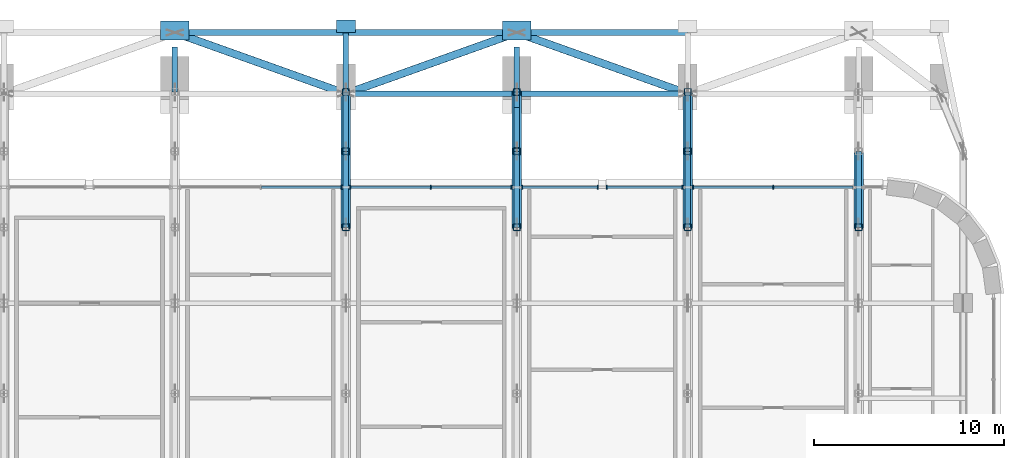
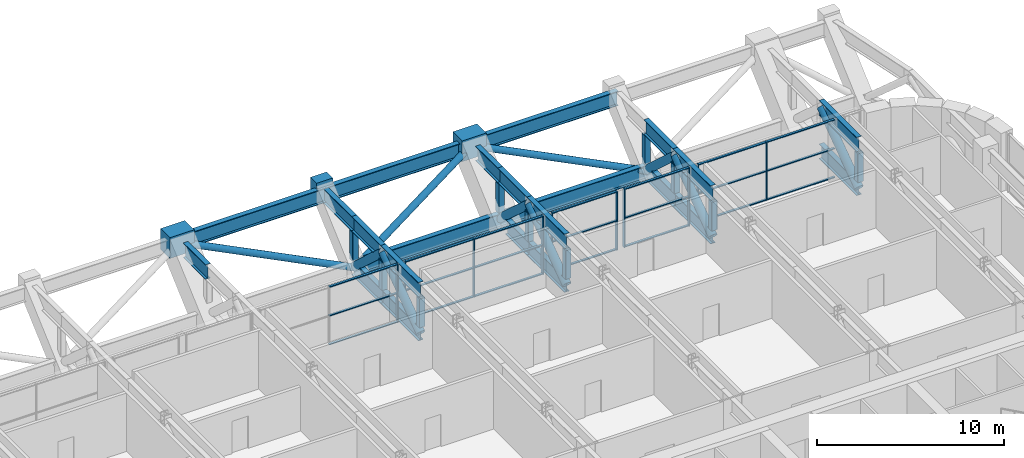
# One storey, part 7 of 23: 73 members, 3 beams, 5 elements without a shape of their own.
"""IFC4 building model written with IfcOpenShell, lengths in metres."""

from ifc_helpers import new_model, si_unit, direction, frame, origin, origin_2d, place, context, subcontext, project, spatial, rectangle, hollow_rectangle, hollow_circle, i_section, extrude, material, material_profile, profile_set, type_object, element, aggregate, save


model = new_model("IFC4")

# Units and contexts
model_context = context("Model", 3, precision=1e-05, world=origin(), true_north=direction((0.0, 1.0)))
body_context = subcontext(model_context, "Body", "Model", "MODEL_VIEW")
ifc_project = project(units=[si_unit("LENGTHUNIT", "METRE"), si_unit("AREAUNIT", "SQUARE_METRE"), si_unit("VOLUMEUNIT", "CUBIC_METRE"), si_unit("PLANEANGLEUNIT", "RADIAN"), si_unit("MASSUNIT", "GRAM", prefix="KILO")], contexts=[model_context])

# Site, building, storey
site_placement = place(None, origin())
site = spatial("IfcSite", under=ifc_project, at=site_placement, CompositionType="ELEMENT")
building_placement = place(site_placement, origin())
building = spatial("IfcBuilding", under=site, at=building_placement, Name="Zellij Exchange Tower", CompositionType="ELEMENT")
storey_placement = place(building_placement, frame((0.0, 0.0, 160.5)))
storey = spatial("IfcBuildingStorey", under=building, at=storey_placement, Name="L36", CompositionType="ELEMENT", Elevation=160.5)

# Curtain wall, members
ifc_material_1 = material(Name="Aluminium frame, clear insulating glass", Category="aluminium")
curtain_wall_type = type_object("IfcCurtainWallType", Name="ENV-CW2 Outrigger-storey glazing", PredefinedType="NOTDEFINED", material=ifc_material_1)
curtain_wall_1_placement = place(storey_placement, origin())
curtain_wall_1 = element("IfcCurtainWall", 1, at=curtain_wall_1_placement, inside=storey, type_object=curtain_wall_type, Name="cw.L36.14a.b", PredefinedType="NOTDEFINED")
ifc_material_2 = material(Name="Aluminium", Category="aluminium")
ifc_material_profile_1 = material_profile(ifc_material_2, rectangle(XDim=0.06005859375, YDim=0.199951171875, at=origin_2d()), Name="AL 60x200")
ifc_profile_set_1 = profile_set([ifc_material_profile_1], Name="Aluminium")
member_type_1 = type_object("IfcMemberType", Name="ENV-CW2M Mullion 60x200", PredefinedType="MULLION", material=ifc_profile_set_1)
member_1_placement = place(storey_placement, frame((22.5, 20.10009765625, 0.0), z_axis=(0.0, 0.0, 1.0), x_axis=(-1.0, 0.0, 0.0)))
member_1 = element("IfcMember", 2, at=member_1_placement, type_object=member_type_1, Name="CW2 mullion 2", PredefinedType="MULLION", context=body_context, shape_type="SweptSolid", body=[
    extrude(rectangle(XDim=0.06005859375, YDim=0.199951171875, at=origin_2d()), origin(), (0.0, 0.0, 1.0), 3.800048828125),
])
member_2_placement = place(storey_placement, frame((18.27978515625, 20.10009765625, 0.0), z_axis=(0.0, 0.0, 1.0), x_axis=(-1.0, 0.0, 0.0)))
member_2 = element("IfcMember", 3, at=member_2_placement, type_object=member_type_1, Name="CW2 mullion 3", PredefinedType="MULLION", context=body_context, shape_type="SweptSolid", body=[
    extrude(rectangle(XDim=0.06005859375, YDim=0.199951171875, at=origin_2d()), origin(), (0.0, 0.0, 1.0), 3.800048828125),
])

curtain_wall_2_placement = place(storey_placement, origin())
curtain_wall_2 = element("IfcCurtainWall", 4, at=curtain_wall_2_placement, inside=storey, type_object=curtain_wall_type, Name="cw.L36.14a.c", PredefinedType="NOTDEFINED")
member_3_placement = place(storey_placement, frame((17.72021484375, 20.10009765625, 0.0), z_axis=(0.0, 0.0, 1.0), x_axis=(-1.0, 0.0, 0.0)))
member_3 = element("IfcMember", 5, at=member_3_placement, type_object=member_type_1, Name="CW2 mullion 1", PredefinedType="MULLION", context=body_context, shape_type="SweptSolid", body=[
    extrude(rectangle(XDim=0.06005859375, YDim=0.199951171875, at=origin_2d()), origin(), (0.0, 0.0, 1.0), 3.800048828125),
])
member_4_placement = place(storey_placement, frame((13.72998046875, 20.10009765625, 0.0), z_axis=(0.0, 0.0, 1.0), x_axis=(-1.0, 0.0, 0.0)))
member_4 = element("IfcMember", 6, at=member_4_placement, type_object=member_type_1, Name="CW2 mullion 2", PredefinedType="MULLION", context=body_context, shape_type="SweptSolid", body=[
    extrude(rectangle(XDim=0.06005859375, YDim=0.199951171875, at=origin_2d()), origin(), (0.0, 0.0, 1.0), 3.800048828125),
])

curtain_wall_3_placement = place(storey_placement, origin())
curtain_wall_3 = element("IfcCurtainWall", 7, at=curtain_wall_3_placement, inside=storey, type_object=curtain_wall_type, Name="cw.L36.14b.a", PredefinedType="NOTDEFINED")
member_5_placement = place(storey_placement, frame((13.27001953125, 20.10009765625, 0.0), z_axis=(0.0, 0.0, 1.0), x_axis=(-1.0, 0.0, 0.0)))
member_5 = element("IfcMember", 8, at=member_5_placement, type_object=member_type_1, Name="CW2 mullion 1", PredefinedType="MULLION", context=body_context, shape_type="SweptSolid", body=[
    extrude(rectangle(XDim=0.06005859375, YDim=0.199951171875, at=origin_2d()), origin(), (0.0, 0.0, 1.0), 3.800048828125),
])
member_6_placement = place(storey_placement, frame((9.27978515625, 20.10009765625, 0.0), z_axis=(0.0, 0.0, 1.0), x_axis=(-1.0, 0.0, 0.0)))
member_6 = element("IfcMember", 9, at=member_6_placement, type_object=member_type_1, Name="CW2 mullion 2", PredefinedType="MULLION", context=body_context, shape_type="SweptSolid", body=[
    extrude(rectangle(XDim=0.06005859375, YDim=0.199951171875, at=origin_2d()), origin(), (0.0, 0.0, 1.0), 3.800048828125),
])

curtain_wall_4_placement = place(storey_placement, origin())
curtain_wall_4 = element("IfcCurtainWall", 10, at=curtain_wall_4_placement, inside=storey, type_object=curtain_wall_type, Name="cw.L36.14b.b", PredefinedType="NOTDEFINED")
member_7_placement = place(storey_placement, frame((8.72021484375, 20.10009765625, 0.0), z_axis=(0.0, 0.0, 1.0), x_axis=(-1.0, 0.0, 0.0)))
member_7 = element("IfcMember", 11, at=member_7_placement, type_object=member_type_1, Name="CW2 mullion 1", PredefinedType="MULLION", context=body_context, shape_type="SweptSolid", body=[
    extrude(rectangle(XDim=0.06005859375, YDim=0.199951171875, at=origin_2d()), origin(), (0.0, 0.0, 1.0), 3.800048828125),
])
member_8_placement = place(storey_placement, frame((4.47509765625, 20.10009765625, 0.0), z_axis=(0.0, 0.0, 1.0), x_axis=(-1.0, 0.0, 0.0)))
member_8 = element("IfcMember", 12, at=member_8_placement, type_object=member_type_1, Name="CW2 mullion 2", PredefinedType="MULLION", context=body_context, shape_type="SweptSolid", body=[
    extrude(rectangle(XDim=0.06005859375, YDim=0.199951171875, at=origin_2d()), origin(), (0.0, 0.0, 1.0), 3.800048828125),
])
member_9_placement = place(storey_placement, frame((0.22998046875, 20.10009765625, 0.0), z_axis=(0.0, 0.0, 1.0), x_axis=(-1.0, 0.0, 0.0)))
member_9 = element("IfcMember", 13, at=member_9_placement, type_object=member_type_1, Name="CW2 mullion 3", PredefinedType="MULLION", context=body_context, shape_type="SweptSolid", body=[
    extrude(rectangle(XDim=0.06005859375, YDim=0.199951171875, at=origin_2d()), origin(), (0.0, 0.0, 1.0), 3.800048828125),
])

# Curtain wall, member
curtain_wall_5_placement = place(storey_placement, origin())
curtain_wall_5 = element("IfcCurtainWall", 14, at=curtain_wall_5_placement, inside=storey, type_object=curtain_wall_type, Name="cw.L36.14c.a", PredefinedType="NOTDEFINED")
member_10_placement = place(storey_placement, frame((-0.22998046875, 20.10009765625, 0.0), z_axis=(0.0, 0.0, 1.0), x_axis=(-1.0, 0.0, 0.0)))
member_10 = element("IfcMember", 15, at=member_10_placement, type_object=member_type_1, Name="CW2 mullion 1", PredefinedType="MULLION", context=body_context, shape_type="SweptSolid", body=[
    extrude(rectangle(XDim=0.06005859375, YDim=0.199951171875, at=origin_2d()), origin(), (0.0, 0.0, 1.0), 3.800048828125),
])

# Member
ifc_material_profile_2 = material_profile(ifc_material_2, rectangle(XDim=0.139892578125, YDim=0.06005859375, at=origin_2d()), Name="AL 140x60")
ifc_profile_set_2 = profile_set([ifc_material_profile_2], Name="Aluminium")
member_type_2 = type_object("IfcMemberType", Name="ENV-CW2T Transom 140x60", PredefinedType="USERDEFINED", material=ifc_profile_set_2)
member_11_placement = place(storey_placement, frame((26.690185546875, 20.10009765625, 0.030029296875), z_axis=(-1.0, 0.0, 0.0), x_axis=(0.0, -1.0, 0.0)))
member_11 = element("IfcMember", 16, at=member_11_placement, type_object=member_type_2, Name="CW2 transom 1.1", ObjectType="TRANSOM", PredefinedType="USERDEFINED", context=body_context, shape_type="SweptSolid", body=[
    extrude(rectangle(XDim=0.139892578125, YDim=0.06005859375, at=origin_2d()), origin(), (0.0, 0.0, 1.0), 4.16015625),
])

member_12_placement = place(storey_placement, frame((26.690185546875, 20.10009765625, 1.89990234375), z_axis=(-1.0, 0.0, 0.0), x_axis=(0.0, -1.0, 0.0)))
member_12 = element("IfcMember", 17, at=member_12_placement, type_object=member_type_2, Name="CW2 transom 1.2", ObjectType="TRANSOM", PredefinedType="USERDEFINED", context=body_context, shape_type="SweptSolid", body=[
    extrude(rectangle(XDim=0.139892578125, YDim=0.06005859375, at=origin_2d()), origin(), (0.0, 0.0, 1.0), 4.16015625),
])

member_13_placement = place(storey_placement, frame((26.690185546875, 20.10009765625, 3.77001953125), z_axis=(-1.0, 0.0, 0.0), x_axis=(0.0, -1.0, 0.0)))
member_13 = element("IfcMember", 18, at=member_13_placement, type_object=member_type_2, Name="CW2 transom 1.3", ObjectType="TRANSOM", PredefinedType="USERDEFINED", context=body_context, shape_type="SweptSolid", body=[
    extrude(rectangle(XDim=0.139892578125, YDim=0.06005859375, at=origin_2d()), origin(), (0.0, 0.0, 1.0), 4.16015625),
])

member_14_placement = place(storey_placement, frame((22.469970703125, 20.10009765625, 0.030029296875), z_axis=(-1.0, 0.0, 0.0), x_axis=(0.0, -1.0, 0.0)))
member_14 = element("IfcMember", 19, at=member_14_placement, type_object=member_type_2, Name="CW2 transom 2.1", ObjectType="TRANSOM", PredefinedType="USERDEFINED", context=body_context, shape_type="SweptSolid", body=[
    extrude(rectangle(XDim=0.139892578125, YDim=0.06005859375, at=origin_2d()), origin(), (0.0, 0.0, 1.0), 4.16015625),
])

member_15_placement = place(storey_placement, frame((22.469970703125, 20.10009765625, 1.89990234375), z_axis=(-1.0, 0.0, 0.0), x_axis=(0.0, -1.0, 0.0)))
member_15 = element("IfcMember", 20, at=member_15_placement, type_object=member_type_2, Name="CW2 transom 2.2", ObjectType="TRANSOM", PredefinedType="USERDEFINED", context=body_context, shape_type="SweptSolid", body=[
    extrude(rectangle(XDim=0.139892578125, YDim=0.06005859375, at=origin_2d()), origin(), (0.0, 0.0, 1.0), 4.16015625),
])

member_16_placement = place(storey_placement, frame((22.469970703125, 20.10009765625, 3.77001953125), z_axis=(-1.0, 0.0, 0.0), x_axis=(0.0, -1.0, 0.0)))
member_16 = element("IfcMember", 21, at=member_16_placement, type_object=member_type_2, Name="CW2 transom 2.3", ObjectType="TRANSOM", PredefinedType="USERDEFINED", context=body_context, shape_type="SweptSolid", body=[
    extrude(rectangle(XDim=0.139892578125, YDim=0.06005859375, at=origin_2d()), origin(), (0.0, 0.0, 1.0), 4.16015625),
])

aggregate(curtain_wall_1, [member_1, member_2, member_11, member_12, member_13, member_14, member_15, member_16])

member_17_placement = place(storey_placement, frame((17.690185546875, 20.10009765625, 0.030029296875), z_axis=(-1.0, 0.0, 0.0), x_axis=(0.0, -1.0, 0.0)))
member_17 = element("IfcMember", 22, at=member_17_placement, type_object=member_type_2, Name="CW2 transom 1.1", ObjectType="TRANSOM", PredefinedType="USERDEFINED", context=body_context, shape_type="SweptSolid", body=[
    extrude(rectangle(XDim=0.139892578125, YDim=0.06005859375, at=origin_2d()), origin(), (0.0, 0.0, 1.0), 3.93017578125),
])

member_18_placement = place(storey_placement, frame((17.690185546875, 20.10009765625, 1.89990234375), z_axis=(-1.0, 0.0, 0.0), x_axis=(0.0, -1.0, 0.0)))
member_18 = element("IfcMember", 23, at=member_18_placement, type_object=member_type_2, Name="CW2 transom 1.2", ObjectType="TRANSOM", PredefinedType="USERDEFINED", context=body_context, shape_type="SweptSolid", body=[
    extrude(rectangle(XDim=0.139892578125, YDim=0.06005859375, at=origin_2d()), origin(), (0.0, 0.0, 1.0), 3.93017578125),
])

member_19_placement = place(storey_placement, frame((17.690185546875, 20.10009765625, 3.77001953125), z_axis=(-1.0, 0.0, 0.0), x_axis=(0.0, -1.0, 0.0)))
member_19 = element("IfcMember", 24, at=member_19_placement, type_object=member_type_2, Name="CW2 transom 1.3", ObjectType="TRANSOM", PredefinedType="USERDEFINED", context=body_context, shape_type="SweptSolid", body=[
    extrude(rectangle(XDim=0.139892578125, YDim=0.06005859375, at=origin_2d()), origin(), (0.0, 0.0, 1.0), 3.93017578125),
])

aggregate(curtain_wall_2, [member_3, member_4, member_17, member_18, member_19])

member_20_placement = place(storey_placement, frame((13.239990234375, 20.10009765625, 0.030029296875), z_axis=(-1.0, 0.0, 0.0), x_axis=(0.0, -1.0, 0.0)))
member_20 = element("IfcMember", 25, at=member_20_placement, type_object=member_type_2, Name="CW2 transom 1.1", ObjectType="TRANSOM", PredefinedType="USERDEFINED", context=body_context, shape_type="SweptSolid", body=[
    extrude(rectangle(XDim=0.139892578125, YDim=0.06005859375, at=origin_2d()), origin(), (0.0, 0.0, 1.0), 3.93017578125),
])

member_21_placement = place(storey_placement, frame((13.239990234375, 20.10009765625, 1.89990234375), z_axis=(-1.0, 0.0, 0.0), x_axis=(0.0, -1.0, 0.0)))
member_21 = element("IfcMember", 26, at=member_21_placement, type_object=member_type_2, Name="CW2 transom 1.2", ObjectType="TRANSOM", PredefinedType="USERDEFINED", context=body_context, shape_type="SweptSolid", body=[
    extrude(rectangle(XDim=0.139892578125, YDim=0.06005859375, at=origin_2d()), origin(), (0.0, 0.0, 1.0), 3.93017578125),
])

member_22_placement = place(storey_placement, frame((13.239990234375, 20.10009765625, 3.77001953125), z_axis=(-1.0, 0.0, 0.0), x_axis=(0.0, -1.0, 0.0)))
member_22 = element("IfcMember", 27, at=member_22_placement, type_object=member_type_2, Name="CW2 transom 1.3", ObjectType="TRANSOM", PredefinedType="USERDEFINED", context=body_context, shape_type="SweptSolid", body=[
    extrude(rectangle(XDim=0.139892578125, YDim=0.06005859375, at=origin_2d()), origin(), (0.0, 0.0, 1.0), 3.93017578125),
])

aggregate(curtain_wall_3, [member_5, member_6, member_20, member_21, member_22])

member_23_placement = place(storey_placement, frame((8.690185546875, 20.10009765625, 0.030029296875), z_axis=(-1.0, 0.0, 0.0), x_axis=(0.0, -1.0, 0.0)))
member_23 = element("IfcMember", 28, at=member_23_placement, type_object=member_type_2, Name="CW2 transom 1.1", ObjectType="TRANSOM", PredefinedType="USERDEFINED", context=body_context, shape_type="SweptSolid", body=[
    extrude(rectangle(XDim=0.139892578125, YDim=0.06005859375, at=origin_2d()), origin(), (0.0, 0.0, 1.0), 4.18505859375),
])

member_24_placement = place(storey_placement, frame((8.690185546875, 20.10009765625, 1.89990234375), z_axis=(-1.0, 0.0, 0.0), x_axis=(0.0, -1.0, 0.0)))
member_24 = element("IfcMember", 29, at=member_24_placement, type_object=member_type_2, Name="CW2 transom 1.2", ObjectType="TRANSOM", PredefinedType="USERDEFINED", context=body_context, shape_type="SweptSolid", body=[
    extrude(rectangle(XDim=0.139892578125, YDim=0.06005859375, at=origin_2d()), origin(), (0.0, 0.0, 1.0), 4.18505859375),
])

member_25_placement = place(storey_placement, frame((8.690185546875, 20.10009765625, 3.77001953125), z_axis=(-1.0, 0.0, 0.0), x_axis=(0.0, -1.0, 0.0)))
member_25 = element("IfcMember", 30, at=member_25_placement, type_object=member_type_2, Name="CW2 transom 1.3", ObjectType="TRANSOM", PredefinedType="USERDEFINED", context=body_context, shape_type="SweptSolid", body=[
    extrude(rectangle(XDim=0.139892578125, YDim=0.06005859375, at=origin_2d()), origin(), (0.0, 0.0, 1.0), 4.18505859375),
])

member_26_placement = place(storey_placement, frame((4.445068359375, 20.10009765625, 0.030029296875), z_axis=(-1.0, 0.0, 0.0), x_axis=(0.0, -1.0, 0.0)))
member_26 = element("IfcMember", 31, at=member_26_placement, type_object=member_type_2, Name="CW2 transom 2.1", ObjectType="TRANSOM", PredefinedType="USERDEFINED", context=body_context, shape_type="SweptSolid", body=[
    extrude(rectangle(XDim=0.139892578125, YDim=0.06005859375, at=origin_2d()), origin(), (0.0, 0.0, 1.0), 4.18505859375),
])

member_27_placement = place(storey_placement, frame((4.445068359375, 20.10009765625, 1.89990234375), z_axis=(-1.0, 0.0, 0.0), x_axis=(0.0, -1.0, 0.0)))
member_27 = element("IfcMember", 32, at=member_27_placement, type_object=member_type_2, Name="CW2 transom 2.2", ObjectType="TRANSOM", PredefinedType="USERDEFINED", context=body_context, shape_type="SweptSolid", body=[
    extrude(rectangle(XDim=0.139892578125, YDim=0.06005859375, at=origin_2d()), origin(), (0.0, 0.0, 1.0), 4.18505859375),
])

member_28_placement = place(storey_placement, frame((4.445068359375, 20.10009765625, 3.77001953125), z_axis=(-1.0, 0.0, 0.0), x_axis=(0.0, -1.0, 0.0)))
member_28 = element("IfcMember", 33, at=member_28_placement, type_object=member_type_2, Name="CW2 transom 2.3", ObjectType="TRANSOM", PredefinedType="USERDEFINED", context=body_context, shape_type="SweptSolid", body=[
    extrude(rectangle(XDim=0.139892578125, YDim=0.06005859375, at=origin_2d()), origin(), (0.0, 0.0, 1.0), 4.18505859375),
])

aggregate(curtain_wall_4, [member_7, member_8, member_9, member_23, member_24, member_25, member_26, member_27, member_28])

member_29_placement = place(storey_placement, frame((-0.260009765625, 20.10009765625, 0.030029296875), z_axis=(-1.0, 0.0, 0.0), x_axis=(0.0, -1.0, 0.0)))
member_29 = element("IfcMember", 34, at=member_29_placement, type_object=member_type_2, Name="CW2 transom 1.1", ObjectType="TRANSOM", PredefinedType="USERDEFINED", context=body_context, shape_type="SweptSolid", body=[
    extrude(rectangle(XDim=0.139892578125, YDim=0.06005859375, at=origin_2d()), origin(), (0.0, 0.0, 1.0), 4.18505859375),
])

member_30_placement = place(storey_placement, frame((-0.260009765625, 20.10009765625, 1.89990234375), z_axis=(-1.0, 0.0, 0.0), x_axis=(0.0, -1.0, 0.0)))
member_30 = element("IfcMember", 35, at=member_30_placement, type_object=member_type_2, Name="CW2 transom 1.2", ObjectType="TRANSOM", PredefinedType="USERDEFINED", context=body_context, shape_type="SweptSolid", body=[
    extrude(rectangle(XDim=0.139892578125, YDim=0.06005859375, at=origin_2d()), origin(), (0.0, 0.0, 1.0), 4.18505859375),
])

member_31_placement = place(storey_placement, frame((-0.260009765625, 20.10009765625, 3.77001953125), z_axis=(-1.0, 0.0, 0.0), x_axis=(0.0, -1.0, 0.0)))
member_31 = element("IfcMember", 36, at=member_31_placement, type_object=member_type_2, Name="CW2 transom 1.3", ObjectType="TRANSOM", PredefinedType="USERDEFINED", context=body_context, shape_type="SweptSolid", body=[
    extrude(rectangle(XDim=0.139892578125, YDim=0.06005859375, at=origin_2d()), origin(), (0.0, 0.0, 1.0), 4.18505859375),
])

aggregate(curtain_wall_5, [member_10, member_29, member_30, member_31])

# Members
ifc_material_3 = material(Name="Structural steel ASTM A992 Gr 50", Category="steel")
ifc_material_profile_3 = material_profile(ifc_material_3, i_section(OverallWidth=0.307373046875, OverallDepth=0.9423828125, WebThickness=0.022216796875, FlangeThickness=0.039794921875, at=origin_2d()), Name="W36x232")
ifc_profile_set_3 = profile_set([ifc_material_profile_3], Name="Structural steel ASTM A992 Gr 50")
member_type_3 = type_object("IfcMemberType", Name="STR-BELT TRUSS CHORD W36x232", PredefinedType="CHORD", material=ifc_profile_set_3)
for number, where, z_axis, x_axis, name in (
    (37, (-9.0, 28.244873046875, 3.328857421875), (1.0, 0.0, 0.0), (0.0, 1.0, 0.0), "BT1"),
    (38, (0.0, 25.030029296875, 0.47119140625), (1.0, 0.0, 0.0), (0.0, 1.0, 0.0), "BT1"),
    (39, (0.0, 28.244873046875, 3.328857421875), (1.0, 0.0, 0.0), (0.0, 1.0, 0.0), "BT1"),
    (40, (9.0, 25.030029296875, 0.47119140625), (1.0, 0.0, 0.0), (0.0, 1.0, 0.0), "BT1"),
    (41, (9.0, 28.244873046875, 3.328857421875), (1.0, 0.0, 0.0), (0.0, 1.0, 0.0), "BT1"),
):
    element("IfcMember", number, at=place(storey_placement, frame(where, z_axis=z_axis, x_axis=x_axis)), inside=storey, type_object=member_type_3, Name=name, PredefinedType="CHORD", context=body_context, shape_type="SweptSolid", body=[
        extrude(i_section(OverallWidth=0.307373046875, OverallDepth=0.9423828125, WebThickness=0.022216796875, FlangeThickness=0.039794921875, at=origin_2d()), origin(), (0.0, 0.0, 1.0), 9.0),
    ])
ifc_material_4 = material(Name="Structural steel ASTM A500 Gr C", Category="steel")
ifc_material_profile_4 = material_profile(ifc_material_4, hollow_circle(Radius=0.203125, WallThickness=0.01171875, at=origin_2d()), Name="STR-BELT TRUSS DIAGONAL HSS16.000x0.500")
ifc_profile_set_4 = profile_set([ifc_material_profile_4], Name="Structural steel ASTM A500 Gr C")
member_type_4 = type_object("IfcMemberType", Name="STR-BELT TRUSS DIAGONAL HSS16.000x0.500", PredefinedType="BRACE", material=ifc_profile_set_4)
for number, where, z_axis, x_axis, name in (
    (42, (-9.0, 28.244873046875, 3.328857421875), (0.902251783506, -0.322288723014, -0.286481584362), (0.336388181808, 0.941723415414, 0.0), "BT2"),
    (43, (0.0, 25.030029296875, 0.47119140625), (0.902251783506, 0.322288723014, 0.286481584362), (-0.336388181808, 0.941723415414, 0.0), "BT2"),
    (44, (9.0, 28.244873046875, 3.328857421875), (0.902251783506, -0.322288723014, -0.286481584362), (0.336388181808, 0.941723415414, 0.0), "BT2"),
):
    element("IfcMember", number, at=place(storey_placement, frame(where, z_axis=z_axis, x_axis=x_axis)), inside=storey, type_object=member_type_4, Name=name, PredefinedType="BRACE", context=body_context, shape_type="SweptSolid", body=[
        extrude(hollow_circle(Radius=0.203125, WallThickness=0.01171875, at=origin_2d()), origin(), (0.0, 0.0, 1.0), 9.97509765625),
    ])

# Beams
ifc_material_5 = material(Name="Concrete C60/75", Category="concrete")
ifc_material_profile_5 = material_profile(ifc_material_5, rectangle(XDim=1.0, YDim=1.10009765625, at=origin_2d()), Name="STR-KNUCKLE BLOCK RC1000x1100 C60/75")
ifc_profile_set_5 = profile_set([ifc_material_profile_5], Name="Concrete C60/75")
beam_type_1 = type_object("IfcBeamType", Name="STR-KNUCKLE BLOCK RC1000x1100 C60/75", PredefinedType="BEAM", material=ifc_profile_set_5)
beam_placement = place(storey_placement, frame((0.0, 28.247314453125, 3.625), z_axis=(0.0, 1.0, 0.0), x_axis=(-1.0, 0.0, 0.0)))
element("IfcBeam", 45, at=beam_placement, inside=storey, type_object=beam_type_1, Name="KB3", PredefinedType="BEAM", context=body_context, shape_type="SweptSolid", body=[
    extrude(rectangle(XDim=1.0, YDim=1.10009765625, at=origin_2d()), origin(), (0.0, 0.0, 1.0), 0.66455078125),
])
ifc_material_profile_6 = material_profile(ifc_material_5, rectangle(XDim=1.5, YDim=1.35009765625, at=origin_2d()), Name="STR-KNUCKLE BLOCK RC1500x1350 C60/75")
ifc_profile_set_6 = profile_set([ifc_material_profile_6], Name="Concrete C60/75")
beam_type_2 = type_object("IfcBeamType", Name="STR-KNUCKLE BLOCK RC1500x1350 C60/75", PredefinedType="BEAM", material=ifc_profile_set_6)
for number, where, z_axis, x_axis, name in (
    (46, (-9.0, 27.87109375, 3.425048828125), (0.0, 1.0, 0.0), (-1.0, 0.0, 0.0), "KB8"),
    (47, (9.0, 27.87109375, 3.425048828125), (0.0, 1.0, 0.0), (-1.0, 0.0, 0.0), "KB8"),
):
    element("IfcBeam", number, at=place(storey_placement, frame(where, z_axis=z_axis, x_axis=x_axis)), inside=storey, type_object=beam_type_2, Name=name, PredefinedType="BEAM", context=body_context, shape_type="SweptSolid", body=[
        extrude(rectangle(XDim=1.5, YDim=1.35009765625, at=origin_2d()), origin(), (0.0, 0.0, 1.0), 0.99658203125),
    ])

# Members
ifc_material_6 = material(Name="Structural steel ASTM A913 Gr 65", Category="steel")
ifc_material_profile_7 = material_profile(ifc_material_6, i_section(OverallWidth=0.2998046875, OverallDepth=0.965087890625, WebThickness=0.01904296875, FlangeThickness=0.0361328125, at=origin_2d()), Name="W40x249")
ifc_profile_set_7 = profile_set([ifc_material_profile_7], Name="Structural steel ASTM A913 Gr 65")
member_type_5 = type_object("IfcMemberType", Name="STR-OUTRIGGER TRUSS CHORD W40x249", PredefinedType="CHORD", material=ifc_profile_set_7)
member_32_placement = place(storey_placement, frame((-9.0, 25.115966796875, 3.3173828125), z_axis=(0.0, 1.0, 0.0), x_axis=(-1.0, 0.0, 0.0)))
element("IfcMember", 48, at=member_32_placement, inside=storey, type_object=member_type_5, Name="OT1", PredefinedType="CHORD", context=body_context, shape_type="SweptSolid", body=[
    extrude(i_section(OverallWidth=0.2998046875, OverallDepth=0.965087890625, WebThickness=0.01904296875, FlangeThickness=0.0361328125, at=origin_2d()), origin(), (0.0, 0.0, 1.0), 2.3662109375),
])
for number, where, z_axis, x_axis, name in (
    (49, (0.0, 18.0, 3.3173828125), (0.0, 1.0, 0.0), (-1.0, 0.0, 0.0), "OT1"),
    (50, (0.0, 18.0, 0.482666015625), (0.0, 1.0, 0.0), (-1.0, 0.0, 0.0), "OT1"),
):
    element("IfcMember", number, at=place(storey_placement, frame(where, z_axis=z_axis, x_axis=x_axis)), inside=storey, type_object=member_type_5, Name=name, PredefinedType="CHORD", context=body_context, shape_type="SweptSolid", body=[
        extrude(i_section(OverallWidth=0.2998046875, OverallDepth=0.965087890625, WebThickness=0.01904296875, FlangeThickness=0.0361328125, at=origin_2d()), origin(), (0.0, 0.0, 1.0), 4.0),
    ])
for number, where, z_axis, x_axis, name in (
    (51, (0.0, 22.0, 3.3173828125), (0.0, 1.0, 0.0), (-1.0, 0.0, 0.0), "OT1"),
    (52, (0.0, 22.0, 0.482666015625), (0.0, 1.0, 0.0), (-1.0, 0.0, 0.0), "OT1"),
):
    element("IfcMember", number, at=place(storey_placement, frame(where, z_axis=z_axis, x_axis=x_axis)), inside=storey, type_object=member_type_5, Name=name, PredefinedType="CHORD", context=body_context, shape_type="SweptSolid", body=[
        extrude(i_section(OverallWidth=0.2998046875, OverallDepth=0.965087890625, WebThickness=0.01904296875, FlangeThickness=0.0361328125, at=origin_2d()), origin(), (0.0, 0.0, 1.0), 3.115966796875),
    ])
member_33_placement = place(storey_placement, frame((0.0, 25.115966796875, 3.3173828125), z_axis=(0.0, 1.0, 0.0), x_axis=(-1.0, 0.0, 0.0)))
element("IfcMember", 53, at=member_33_placement, inside=storey, type_object=member_type_5, Name="OT1", PredefinedType="CHORD", context=body_context, shape_type="SweptSolid", body=[
    extrude(i_section(OverallWidth=0.2998046875, OverallDepth=0.965087890625, WebThickness=0.01904296875, FlangeThickness=0.0361328125, at=origin_2d()), origin(), (0.0, 0.0, 1.0), 3.1162109375),
])
for number, where, z_axis, x_axis, name in (
    (54, (9.0, 18.0, 3.3173828125), (0.0, 1.0, 0.0), (-1.0, 0.0, 0.0), "OT1"),
    (55, (9.0, 18.0, 0.482666015625), (0.0, 1.0, 0.0), (-1.0, 0.0, 0.0), "OT1"),
):
    element("IfcMember", number, at=place(storey_placement, frame(where, z_axis=z_axis, x_axis=x_axis)), inside=storey, type_object=member_type_5, Name=name, PredefinedType="CHORD", context=body_context, shape_type="SweptSolid", body=[
        extrude(i_section(OverallWidth=0.2998046875, OverallDepth=0.965087890625, WebThickness=0.01904296875, FlangeThickness=0.0361328125, at=origin_2d()), origin(), (0.0, 0.0, 1.0), 4.0),
    ])
member_34_placement = place(storey_placement, frame((9.0, 22.0, 3.3173828125), z_axis=(0.0, 1.0, 0.0), x_axis=(-1.0, 0.0, 0.0)))
element("IfcMember", 56, at=member_34_placement, inside=storey, type_object=member_type_5, Name="OT1", PredefinedType="CHORD", context=body_context, shape_type="SweptSolid", body=[
    extrude(i_section(OverallWidth=0.2998046875, OverallDepth=0.965087890625, WebThickness=0.01904296875, FlangeThickness=0.0361328125, at=origin_2d()), origin(), (0.0, 0.0, 1.0), 3.115966796875),
])
member_35_placement = place(storey_placement, frame((9.0, 22.0, 0.482666015625), z_axis=(0.0, 1.0, 0.0), x_axis=(-1.0, 0.0, 0.0)))
element("IfcMember", 57, at=member_35_placement, inside=storey, type_object=member_type_5, Name="OT1", PredefinedType="CHORD", context=body_context, shape_type="SweptSolid", body=[
    extrude(i_section(OverallWidth=0.2998046875, OverallDepth=0.965087890625, WebThickness=0.01904296875, FlangeThickness=0.0361328125, at=origin_2d()), origin(), (0.0, 0.0, 1.0), 2.29296875),
])
member_36_placement = place(storey_placement, frame((9.0, 25.115966796875, 3.3173828125), z_axis=(0.0, 1.0, 0.0), x_axis=(-1.0, 0.0, 0.0)))
element("IfcMember", 58, at=member_36_placement, inside=storey, type_object=member_type_5, Name="OT1", PredefinedType="CHORD", context=body_context, shape_type="SweptSolid", body=[
    extrude(i_section(OverallWidth=0.2998046875, OverallDepth=0.965087890625, WebThickness=0.01904296875, FlangeThickness=0.0361328125, at=origin_2d()), origin(), (0.0, 0.0, 1.0), 2.3662109375),
])
for number, where, z_axis, x_axis, name in (
    (59, (18.0, 18.0, 3.3173828125), (0.0, 1.0, 0.0), (-1.0, 0.0, 0.0), "OT1"),
    (60, (18.0, 18.0, 0.482666015625), (0.0, 1.0, 0.0), (-1.0, 0.0, 0.0), "OT1"),
):
    element("IfcMember", number, at=place(storey_placement, frame(where, z_axis=z_axis, x_axis=x_axis)), inside=storey, type_object=member_type_5, Name=name, PredefinedType="CHORD", context=body_context, shape_type="SweptSolid", body=[
        extrude(i_section(OverallWidth=0.2998046875, OverallDepth=0.965087890625, WebThickness=0.01904296875, FlangeThickness=0.0361328125, at=origin_2d()), origin(), (0.0, 0.0, 1.0), 4.0),
    ])
for number, where, z_axis, x_axis, name in (
    (61, (18.0, 22.0, 3.3173828125), (0.0, 1.0, 0.0), (-1.0, 0.0, 0.0), "OT1"),
    (62, (18.0, 22.0, 0.482666015625), (0.0, 1.0, 0.0), (-1.0, 0.0, 0.0), "OT1"),
):
    element("IfcMember", number, at=place(storey_placement, frame(where, z_axis=z_axis, x_axis=x_axis)), inside=storey, type_object=member_type_5, Name=name, PredefinedType="CHORD", context=body_context, shape_type="SweptSolid", body=[
        extrude(i_section(OverallWidth=0.2998046875, OverallDepth=0.965087890625, WebThickness=0.01904296875, FlangeThickness=0.0361328125, at=origin_2d()), origin(), (0.0, 0.0, 1.0), 3.115966796875),
    ])
for number, where, z_axis, x_axis, name in (
    (63, (27.0, 18.0, 3.3173828125), (0.0, 1.0, 0.0), (-1.0, 0.0, 0.0), "OT1"),
    (64, (27.0, 18.0, 0.482666015625), (0.0, 1.0, 0.0), (-1.0, 0.0, 0.0), "OT1"),
):
    element("IfcMember", number, at=place(storey_placement, frame(where, z_axis=z_axis, x_axis=x_axis)), inside=storey, type_object=member_type_5, Name=name, PredefinedType="CHORD", context=body_context, shape_type="SweptSolid", body=[
        extrude(i_section(OverallWidth=0.2998046875, OverallDepth=0.965087890625, WebThickness=0.01904296875, FlangeThickness=0.0361328125, at=origin_2d()), origin(), (0.0, 0.0, 1.0), 4.0),
    ])
ifc_material_profile_8 = material_profile(ifc_material_4, hollow_circle(Radius=0.25390625, WallThickness=0.01171875, at=origin_2d()), Name="STR-OUTRIGGER TRUSS DIAGONAL HSS20.000x0.500")
ifc_profile_set_8 = profile_set([ifc_material_profile_8], Name="Structural steel ASTM A500 Gr C")
member_type_6 = type_object("IfcMemberType", Name="STR-OUTRIGGER TRUSS DIAGONAL HSS20.000x0.500", PredefinedType="BRACE", material=ifc_profile_set_8)
member_37_placement = place(storey_placement, frame((0.0, 18.0, 0.482666015625), z_axis=(0.0, 0.815891357609, 0.57820523396), x_axis=(-1.0, 0.0, 0.0)))
element("IfcMember", 65, at=member_37_placement, inside=storey, type_object=member_type_6, Name="OT2", PredefinedType="BRACE", context=body_context, shape_type="SweptSolid", body=[
    extrude(hollow_circle(Radius=0.25390625, WallThickness=0.01171875, at=origin_2d()), origin(), (0.0, 0.0, 1.0), 4.902587890625),
])
member_38_placement = place(storey_placement, frame((0.0, 22.0, 3.3173828125), z_axis=(0.0, 0.739701381589, -0.67293526143), x_axis=(-1.0, 0.0, 0.0)))
element("IfcMember", 66, at=member_38_placement, inside=storey, type_object=member_type_6, Name="OT2", PredefinedType="BRACE", context=body_context, shape_type="SweptSolid", body=[
    extrude(hollow_circle(Radius=0.25390625, WallThickness=0.01171875, at=origin_2d()), origin(), (0.0, 0.0, 1.0), 4.21240234375),
])
member_39_placement = place(storey_placement, frame((9.0, 18.0, 0.482666015625), z_axis=(0.0, 0.815891357609, 0.57820523396), x_axis=(-1.0, 0.0, 0.0)))
element("IfcMember", 67, at=member_39_placement, inside=storey, type_object=member_type_6, Name="OT2", PredefinedType="BRACE", context=body_context, shape_type="SweptSolid", body=[
    extrude(hollow_circle(Radius=0.25390625, WallThickness=0.01171875, at=origin_2d()), origin(), (0.0, 0.0, 1.0), 4.902587890625),
])
member_40_placement = place(storey_placement, frame((9.0, 22.0, 3.3173828125), z_axis=(0.0, 0.739701381589, -0.67293526143), x_axis=(-1.0, 0.0, 0.0)))
element("IfcMember", 68, at=member_40_placement, inside=storey, type_object=member_type_6, Name="OT2", PredefinedType="BRACE", context=body_context, shape_type="SweptSolid", body=[
    extrude(hollow_circle(Radius=0.25390625, WallThickness=0.01171875, at=origin_2d()), origin(), (0.0, 0.0, 1.0), 4.21240234375),
])
member_41_placement = place(storey_placement, frame((18.0, 18.0, 0.482666015625), z_axis=(0.0, 0.815891357609, 0.57820523396), x_axis=(-1.0, 0.0, 0.0)))
element("IfcMember", 69, at=member_41_placement, inside=storey, type_object=member_type_6, Name="OT2", PredefinedType="BRACE", context=body_context, shape_type="SweptSolid", body=[
    extrude(hollow_circle(Radius=0.25390625, WallThickness=0.01171875, at=origin_2d()), origin(), (0.0, 0.0, 1.0), 4.902587890625),
])
member_42_placement = place(storey_placement, frame((18.0, 22.0, 3.3173828125), z_axis=(0.0, 0.739701381589, -0.67293526143), x_axis=(-1.0, 0.0, 0.0)))
element("IfcMember", 70, at=member_42_placement, inside=storey, type_object=member_type_6, Name="OT2", PredefinedType="BRACE", context=body_context, shape_type="SweptSolid", body=[
    extrude(hollow_circle(Radius=0.25390625, WallThickness=0.01171875, at=origin_2d()), origin(), (0.0, 0.0, 1.0), 4.21240234375),
])
member_43_placement = place(storey_placement, frame((27.0, 18.0, 0.482666015625), z_axis=(0.0, 0.815891357609, 0.57820523396), x_axis=(-1.0, 0.0, 0.0)))
element("IfcMember", 71, at=member_43_placement, inside=storey, type_object=member_type_6, Name="OT2", PredefinedType="BRACE", context=body_context, shape_type="SweptSolid", body=[
    extrude(hollow_circle(Radius=0.25390625, WallThickness=0.01171875, at=origin_2d()), origin(), (0.0, 0.0, 1.0), 4.902587890625),
])
ifc_material_profile_9 = material_profile(ifc_material_4, hollow_rectangle(XDim=0.355712890625, YDim=0.355712890625, WallThickness=0.01171875, InnerFilletRadius=0.01171875, OuterFilletRadius=0.023681640625, at=origin_2d()), Name="STR-OUTRIGGER TRUSS POST HSS14x14x1/2")
ifc_profile_set_9 = profile_set([ifc_material_profile_9], Name="Structural steel ASTM A500 Gr C")
member_type_7 = type_object("IfcMemberType", Name="STR-OUTRIGGER TRUSS POST HSS14x14x1/2", PredefinedType="POST", material=ifc_profile_set_9)
for number, where, z_axis, x_axis, name in (
    (72, (0.0, 18.0, 0.965087890625), (0.0, 0.0, 1.0), (1.0, 0.0, 0.0), "OT3"),
    (73, (0.0, 22.0, 0.965087890625), (0.0, 0.0, 1.0), (1.0, 0.0, 0.0), "OT3"),
    (74, (0.0, 25.115966796875, 0.965087890625), (0.0, 0.0, 1.0), (1.0, 0.0, 0.0), "OT3"),
    (75, (9.0, 18.0, 0.965087890625), (0.0, 0.0, 1.0), (1.0, 0.0, 0.0), "OT3"),
    (76, (9.0, 22.0, 0.965087890625), (0.0, 0.0, 1.0), (1.0, 0.0, 0.0), "OT3"),
    (77, (9.0, 25.115966796875, 0.965087890625), (0.0, 0.0, 1.0), (1.0, 0.0, 0.0), "OT3"),
    (78, (18.0, 18.0, 0.965087890625), (0.0, 0.0, 1.0), (1.0, 0.0, 0.0), "OT3"),
    (79, (18.0, 22.0, 0.965087890625), (0.0, 0.0, 1.0), (1.0, 0.0, 0.0), "OT3"),
    (80, (18.0, 25.115966796875, 0.965087890625), (0.0, 0.0, 1.0), (1.0, 0.0, 0.0), "OT3"),
    (81, (27.0, 18.0, 0.965087890625), (0.0, 0.0, 1.0), (1.0, 0.0, 0.0), "OT3"),
):
    element("IfcMember", number, at=place(storey_placement, frame(where, z_axis=z_axis, x_axis=x_axis)), inside=storey, type_object=member_type_7, Name=name, PredefinedType="POST", context=body_context, shape_type="SweptSolid", body=[
        extrude(hollow_rectangle(XDim=0.355712890625, YDim=0.355712890625, WallThickness=0.01171875, InnerFilletRadius=0.01171875, OuterFilletRadius=0.023681640625, at=origin_2d()), origin(), (0.0, 0.0, 1.0), 1.86962890625),
    ])

save(model, "model.ifc")
